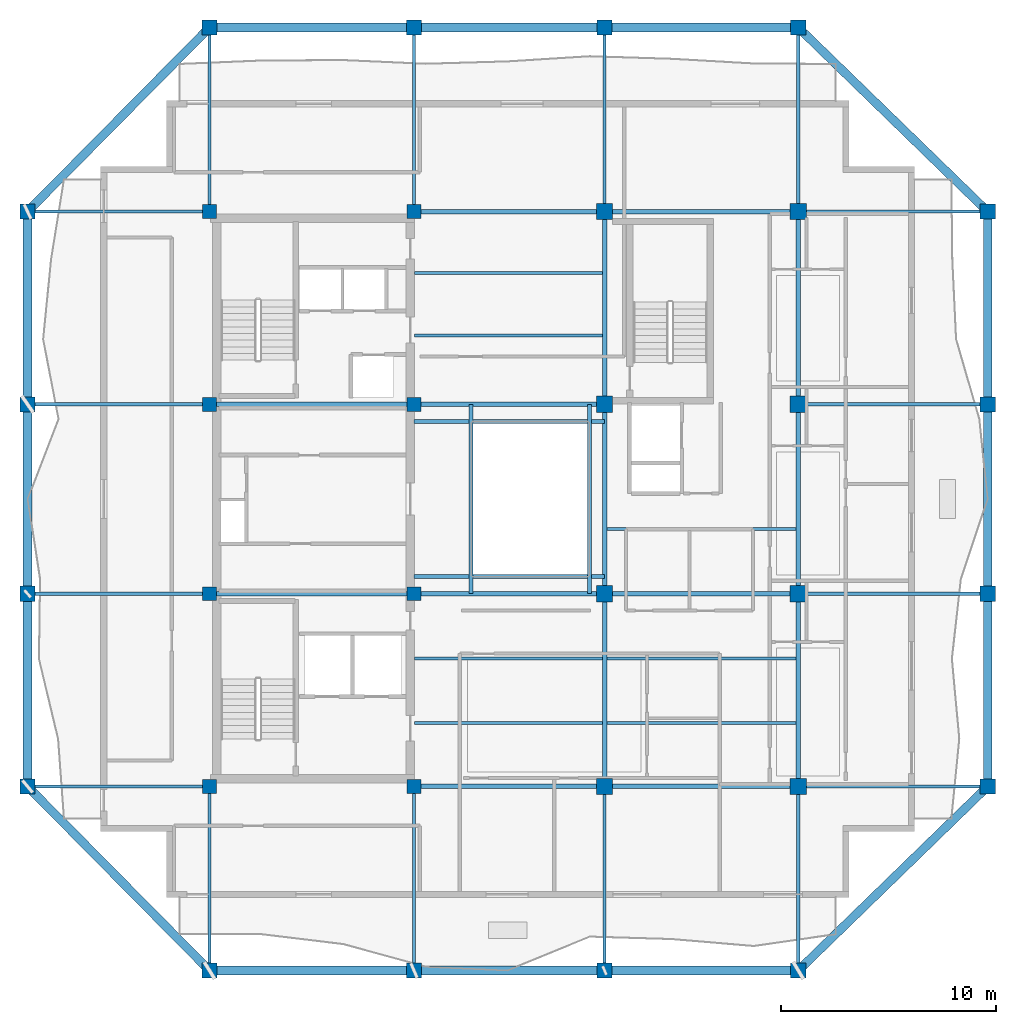
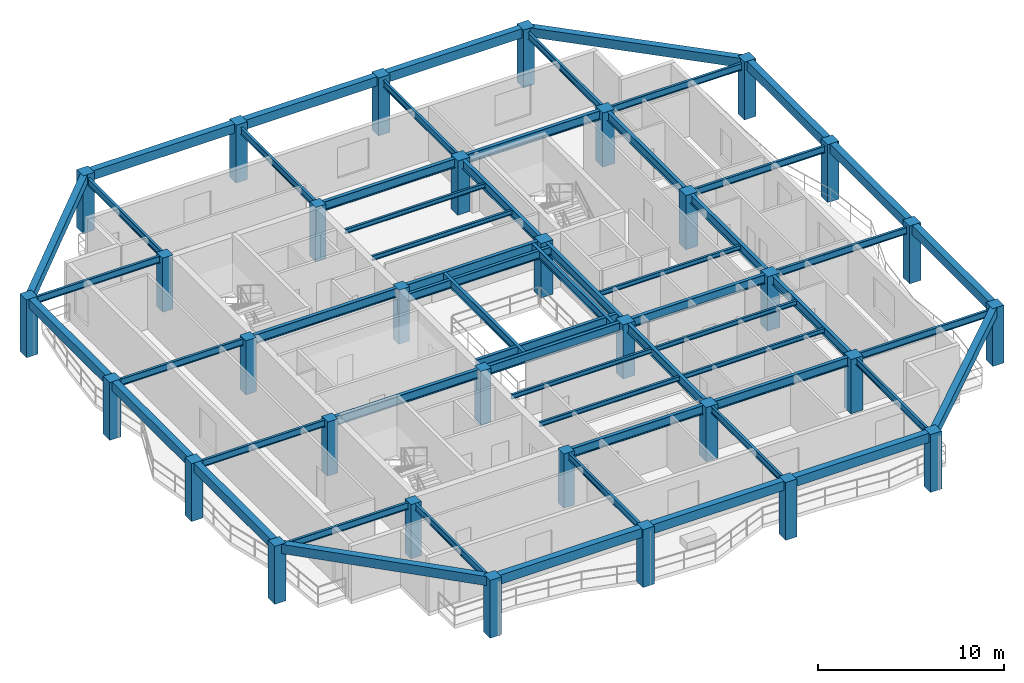
# One storey, part 1 of 10: 58 beams, 32 columns.
"""IFC4 building model written with IfcOpenShell, lengths in metres."""

from ifc_helpers import new_model, si_unit, direction, frame, origin, origin_2d, place, context, subcontext, project, spatial, rectangle, i_section, extrude, material, material_profile, profile_set, type_object, element, save


model = new_model("IFC4")

# Units and contexts
model_context = context("Model", 3, precision=1e-05, world=origin(), true_north=direction((0.0, 1.0)))
body_context = subcontext(model_context, "Body", "Model", "MODEL_VIEW")
ifc_project = project(units=[si_unit("LENGTHUNIT", "METRE"), si_unit("AREAUNIT", "SQUARE_METRE"), si_unit("VOLUMEUNIT", "CUBIC_METRE"), si_unit("PLANEANGLEUNIT", "RADIAN"), si_unit("MASSUNIT", "GRAM", prefix="KILO")], contexts=[model_context])

# Site, building, storey
site_placement = place(None, origin())
site = spatial("IfcSite", under=ifc_project, at=site_placement, CompositionType="ELEMENT")
building_placement = place(site_placement, origin())
building = spatial("IfcBuilding", under=site, at=building_placement, Name="Kundavana Baori Tower", CompositionType="ELEMENT")
storey_placement = place(building_placement, frame((0.0, 0.0, 316.300048828125)))
storey = spatial("IfcBuildingStorey", under=building, at=storey_placement, Name="L78", CompositionType="ELEMENT", Elevation=316.300048828125)

# Columns
ifc_material_1 = material(Name="Concrete C50/60", Category="concrete")
ifc_material_profile_1 = material_profile(ifc_material_1, rectangle(XDim=0.699951171875, YDim=0.699951171875, at=origin_2d()), Name="RC PF 700x700")
ifc_profile_set_1 = profile_set([ifc_material_profile_1], Name="Concrete C50/60")
column_type_1 = type_object("IfcColumnType", Name="COL-PF-700", PredefinedType="COLUMN", material=ifc_profile_set_1)
for number, where, z_axis, x_axis, name in (
    (1, (15.449951171875, 6.699951171875, 0.0), (0.0, 0.0, 1.0), (1.0, 0.0, 0.0), "L78 Stone-Clad Perimeter Frame Column PF-S1"),
    (2, (15.449951171875, 50.5, 0.0), (0.0, 0.0, 1.0), (1.0, 0.0, 0.0), "L78 Stone-Clad Perimeter Frame Column PF-N1"),
    (3, (24.949951171875, 6.699951171875, 0.0), (0.0, 0.0, 1.0), (1.0, 0.0, 0.0), "L78 Stone-Clad Perimeter Frame Column PF-S2"),
    (4, (24.949951171875, 50.5, 0.0), (0.0, 0.0, 1.0), (1.0, 0.0, 0.0), "L78 Stone-Clad Perimeter Frame Column PF-N2"),
    (5, (33.800048828125, 6.699951171875, 0.0), (0.0, 0.0, 1.0), (1.0, 0.0, 0.0), "L78 Stone-Clad Perimeter Frame Column PF-S3"),
    (6, (33.800048828125, 50.5, 0.0), (0.0, 0.0, 1.0), (1.0, 0.0, 0.0), "L78 Stone-Clad Perimeter Frame Column PF-N3"),
    (7, (42.800048828125, 6.699951171875, 0.0), (0.0, 0.0, 1.0), (1.0, 0.0, 0.0), "L78 Stone-Clad Perimeter Frame Column PF-S4"),
    (8, (42.800048828125, 50.5, 0.0), (0.0, 0.0, 1.0), (1.0, 0.0, 0.0), "L78 Stone-Clad Perimeter Frame Column PF-N4"),
    (9, (7.0, 15.25, 0.0), (0.0, 0.0, 1.0), (1.0, 0.0, 0.0), "L78 Stone-Clad Perimeter Frame Column PF-W1"),
    (10, (51.60009765625, 15.25, 0.0), (0.0, 0.0, 1.0), (1.0, 0.0, 0.0), "L78 Stone-Clad Perimeter Frame Column PF-E1"),
    (11, (7.0, 24.199951171875, 0.0), (0.0, 0.0, 1.0), (1.0, 0.0, 0.0), "L78 Stone-Clad Perimeter Frame Column PF-W2"),
    (12, (51.60009765625, 24.199951171875, 0.0), (0.0, 0.0, 1.0), (1.0, 0.0, 0.0), "L78 Stone-Clad Perimeter Frame Column PF-E2"),
    (13, (7.0, 33.0, 0.0), (0.0, 0.0, 1.0), (1.0, 0.0, 0.0), "L78 Stone-Clad Perimeter Frame Column PF-W3"),
    (14, (51.60009765625, 33.0, 0.0), (0.0, 0.0, 1.0), (1.0, 0.0, 0.0), "L78 Stone-Clad Perimeter Frame Column PF-E3"),
    (15, (7.0, 41.949951171875, 0.0), (0.0, 0.0, 1.0), (1.0, 0.0, 0.0), "L78 Stone-Clad Perimeter Frame Column PF-W4"),
    (16, (51.60009765625, 41.949951171875, 0.0), (0.0, 0.0, 1.0), (1.0, 0.0, 0.0), "L78 Stone-Clad Perimeter Frame Column PF-E4"),
):
    element("IfcColumn", number, at=place(storey_placement, frame(where, z_axis=z_axis, x_axis=x_axis)), inside=storey, type_object=column_type_1, Name=name, PredefinedType="COLUMN", context=body_context, shape_type="SweptSolid", body=[
        extrude(rectangle(XDim=0.699951171875, YDim=0.699951171875, at=origin_2d()), origin(), (0.0, 0.0, 1.0), 3.800048828125),
    ])
ifc_material_2 = material(Name="Concrete C50/60", Category="concrete")
ifc_material_profile_2 = material_profile(ifc_material_2, rectangle(XDim=0.64990234375, YDim=0.64990234375, at=origin_2d()), Name="RC 650x650")
ifc_profile_set_2 = profile_set([ifc_material_profile_2], Name="Concrete C50/60")
column_type_2 = type_object("IfcColumnType", Name="COL-RC-650", PredefinedType="COLUMN", material=ifc_profile_set_2)
for number, where, z_axis, x_axis, name in (
    (17, (15.449951171875, 15.25, 0.0), (0.0, 0.0, 1.0), (1.0, 0.0, 0.0), "L78 Interior Column IC-3C"),
    (18, (15.449951171875, 24.199951171875, 0.0), (0.0, 0.0, 1.0), (1.0, 0.0, 0.0), "L78 Interior Column IC-3D"),
    (19, (15.449951171875, 33.0, 0.0), (0.0, 0.0, 1.0), (1.0, 0.0, 0.0), "L78 Interior Column IC-3E"),
    (20, (15.449951171875, 41.949951171875, 0.0), (0.0, 0.0, 1.0), (1.0, 0.0, 0.0), "L78 Interior Column IC-3F"),
    (21, (24.949951171875, 15.25, 0.0), (0.0, 0.0, 1.0), (1.0, 0.0, 0.0), "L78 Interior Column IC-4C"),
    (22, (24.949951171875, 24.199951171875, 0.0), (0.0, 0.0, 1.0), (1.0, 0.0, 0.0), "L78 Interior Column IC-4D"),
    (23, (24.949951171875, 33.0, 0.0), (0.0, 0.0, 1.0), (1.0, 0.0, 0.0), "L78 Interior Column IC-4E"),
    (24, (24.949951171875, 41.949951171875, 0.0), (0.0, 0.0, 1.0), (1.0, 0.0, 0.0), "L78 Interior Column IC-4F"),
):
    element("IfcColumn", number, at=place(storey_placement, frame(where, z_axis=z_axis, x_axis=x_axis)), inside=storey, type_object=column_type_2, Name=name, PredefinedType="COLUMN", context=body_context, shape_type="SweptSolid", body=[
        extrude(rectangle(XDim=0.64990234375, YDim=0.64990234375, at=origin_2d()), origin(), (0.0, 0.0, 1.0), 3.56005859375),
    ])
ifc_material_3 = material(Name="Concrete C50/60", Category="concrete")
ifc_material_profile_3 = material_profile(ifc_material_3, rectangle(XDim=0.75, YDim=0.75, at=origin_2d()), Name="RC 750x750")
ifc_profile_set_3 = profile_set([ifc_material_profile_3], Name="Concrete C50/60")
column_type_3 = type_object("IfcColumnType", Name="COL-RC-750", PredefinedType="COLUMN", material=ifc_profile_set_3)
for number, where, z_axis, x_axis, name in (
    (25, (33.800048828125, 15.25, 0.0), (0.0, 0.0, 1.0), (1.0, 0.0, 0.0), "L78 Interior Column IC-5C"),
    (26, (33.800048828125, 24.199951171875, 0.0), (0.0, 0.0, 1.0), (1.0, 0.0, 0.0), "L78 Interior Column IC-5D"),
    (27, (33.800048828125, 33.0, 0.0), (0.0, 0.0, 1.0), (1.0, 0.0, 0.0), "L78 Interior Column IC-5E"),
    (28, (33.800048828125, 41.949951171875, 0.0), (0.0, 0.0, 1.0), (1.0, 0.0, 0.0), "L78 Interior Column IC-5F"),
    (29, (42.800048828125, 15.25, 0.0), (0.0, 0.0, 1.0), (1.0, 0.0, 0.0), "L78 Interior Column IC-6C"),
    (30, (42.800048828125, 24.199951171875, 0.0), (0.0, 0.0, 1.0), (1.0, 0.0, 0.0), "L78 Interior Column IC-6D"),
    (31, (42.800048828125, 33.0, 0.0), (0.0, 0.0, 1.0), (1.0, 0.0, 0.0), "L78 Interior Column IC-6E"),
    (32, (42.800048828125, 41.949951171875, 0.0), (0.0, 0.0, 1.0), (1.0, 0.0, 0.0), "L78 Interior Column IC-6F"),
):
    element("IfcColumn", number, at=place(storey_placement, frame(where, z_axis=z_axis, x_axis=x_axis)), inside=storey, type_object=column_type_3, Name=name, PredefinedType="COLUMN", context=body_context, shape_type="SweptSolid", body=[
        extrude(rectangle(XDim=0.75, YDim=0.75, at=origin_2d()), origin(), (0.0, 0.0, 1.0), 3.56005859375),
    ])

# Beams
ifc_material_4 = material(Name="Concrete C50/60", Category="concrete")
ifc_material_profile_4 = material_profile(ifc_material_4, rectangle(XDim=0.39990234375, YDim=0.60009765625, at=origin_2d()), Name="RC BM 400x600")
ifc_profile_set_4 = profile_set([ifc_material_profile_4], Name="Concrete C50/60")
beam_type_1 = type_object("IfcBeamType", Name="BM-PF-600", PredefinedType="SPANDREL", material=ifc_profile_set_4)
beam_1_placement = place(storey_placement, frame((15.449951171875, 6.699951171875, 3.5), z_axis=(1.0, 0.0, 0.0), x_axis=(0.0, 1.0, 0.0)))
element("IfcBeam", 33, at=beam_1_placement, inside=storey, type_object=beam_type_1, Name="L78 Perimeter Frame Ring Beam S1", PredefinedType="SPANDREL", context=body_context, shape_type="SweptSolid", body=[
    extrude(rectangle(XDim=0.39990234375, YDim=0.60009765625, at=origin_2d()), origin(), (0.0, 0.0, 1.0), 9.5),
])
beam_2_placement = place(storey_placement, frame((24.949951171875, 6.699951171875, 3.5), z_axis=(1.0, 0.0, 0.0), x_axis=(0.0, 1.0, 0.0)))
element("IfcBeam", 34, at=beam_2_placement, inside=storey, type_object=beam_type_1, Name="L78 Perimeter Frame Ring Beam S2", PredefinedType="SPANDREL", context=body_context, shape_type="SweptSolid", body=[
    extrude(rectangle(XDim=0.39990234375, YDim=0.60009765625, at=origin_2d()), origin(), (0.0, 0.0, 1.0), 8.85009765625),
])
beam_3_placement = place(storey_placement, frame((33.800048828125, 6.699951171875, 3.5), z_axis=(1.0, 0.0, 0.0), x_axis=(0.0, 1.0, 0.0)))
element("IfcBeam", 35, at=beam_3_placement, inside=storey, type_object=beam_type_1, Name="L78 Perimeter Frame Ring Beam S3", PredefinedType="SPANDREL", context=body_context, shape_type="SweptSolid", body=[
    extrude(rectangle(XDim=0.39990234375, YDim=0.60009765625, at=origin_2d()), origin(), (0.0, 0.0, 1.0), 9.0),
])
beam_4_placement = place(storey_placement, frame((15.449951171875, 50.5, 3.5), z_axis=(1.0, 0.0, 0.0), x_axis=(0.0, 1.0, 0.0)))
element("IfcBeam", 36, at=beam_4_placement, inside=storey, type_object=beam_type_1, Name="L78 Perimeter Frame Ring Beam N1", PredefinedType="SPANDREL", context=body_context, shape_type="SweptSolid", body=[
    extrude(rectangle(XDim=0.39990234375, YDim=0.60009765625, at=origin_2d()), origin(), (0.0, 0.0, 1.0), 9.5),
])
beam_5_placement = place(storey_placement, frame((24.949951171875, 50.5, 3.5), z_axis=(1.0, 0.0, 0.0), x_axis=(0.0, 1.0, 0.0)))
element("IfcBeam", 37, at=beam_5_placement, inside=storey, type_object=beam_type_1, Name="L78 Perimeter Frame Ring Beam N2", PredefinedType="SPANDREL", context=body_context, shape_type="SweptSolid", body=[
    extrude(rectangle(XDim=0.39990234375, YDim=0.60009765625, at=origin_2d()), origin(), (0.0, 0.0, 1.0), 8.85009765625),
])
beam_6_placement = place(storey_placement, frame((33.800048828125, 50.5, 3.5), z_axis=(1.0, 0.0, 0.0), x_axis=(0.0, 1.0, 0.0)))
element("IfcBeam", 38, at=beam_6_placement, inside=storey, type_object=beam_type_1, Name="L78 Perimeter Frame Ring Beam N3", PredefinedType="SPANDREL", context=body_context, shape_type="SweptSolid", body=[
    extrude(rectangle(XDim=0.39990234375, YDim=0.60009765625, at=origin_2d()), origin(), (0.0, 0.0, 1.0), 9.0),
])
beam_7_placement = place(storey_placement, frame((7.0, 15.25, 3.5), z_axis=(0.0, 1.0, 0.0), x_axis=(-1.0, 0.0, 0.0)))
element("IfcBeam", 39, at=beam_7_placement, inside=storey, type_object=beam_type_1, Name="L78 Perimeter Frame Ring Beam W1", PredefinedType="SPANDREL", context=body_context, shape_type="SweptSolid", body=[
    extrude(rectangle(XDim=0.39990234375, YDim=0.60009765625, at=origin_2d()), origin(), (0.0, 0.0, 1.0), 8.949951171875),
])
beam_8_placement = place(storey_placement, frame((7.0, 24.199951171875, 3.5), z_axis=(0.0, 1.0, 0.0), x_axis=(-1.0, 0.0, 0.0)))
element("IfcBeam", 40, at=beam_8_placement, inside=storey, type_object=beam_type_1, Name="L78 Perimeter Frame Ring Beam W2", PredefinedType="SPANDREL", context=body_context, shape_type="SweptSolid", body=[
    extrude(rectangle(XDim=0.39990234375, YDim=0.60009765625, at=origin_2d()), origin(), (0.0, 0.0, 1.0), 8.800048828125),
])
for number, where, z_axis, x_axis, name in (
    (41, (7.0, 33.0, 3.5), (0.0, 1.0, 0.0), (-1.0, 0.0, 0.0), "L78 Perimeter Frame Ring Beam W3"),
    (42, (51.60009765625, 15.25, 3.5), (0.0, 1.0, 0.0), (-1.0, 0.0, 0.0), "L78 Perimeter Frame Ring Beam E1"),
):
    element("IfcBeam", number, at=place(storey_placement, frame(where, z_axis=z_axis, x_axis=x_axis)), inside=storey, type_object=beam_type_1, Name=name, PredefinedType="SPANDREL", context=body_context, shape_type="SweptSolid", body=[
        extrude(rectangle(XDim=0.39990234375, YDim=0.60009765625, at=origin_2d()), origin(), (0.0, 0.0, 1.0), 8.949951171875),
    ])
beam_9_placement = place(storey_placement, frame((51.60009765625, 24.199951171875, 3.5), z_axis=(0.0, 1.0, 0.0), x_axis=(-1.0, 0.0, 0.0)))
element("IfcBeam", 43, at=beam_9_placement, inside=storey, type_object=beam_type_1, Name="L78 Perimeter Frame Ring Beam E2", PredefinedType="SPANDREL", context=body_context, shape_type="SweptSolid", body=[
    extrude(rectangle(XDim=0.39990234375, YDim=0.60009765625, at=origin_2d()), origin(), (0.0, 0.0, 1.0), 8.800048828125),
])
beam_10_placement = place(storey_placement, frame((51.60009765625, 33.0, 3.5), z_axis=(0.0, 1.0, 0.0), x_axis=(-1.0, 0.0, 0.0)))
element("IfcBeam", 44, at=beam_10_placement, inside=storey, type_object=beam_type_1, Name="L78 Perimeter Frame Ring Beam E3", PredefinedType="SPANDREL", context=body_context, shape_type="SweptSolid", body=[
    extrude(rectangle(XDim=0.39990234375, YDim=0.60009765625, at=origin_2d()), origin(), (0.0, 0.0, 1.0), 8.949951171875),
])
beam_11_placement = place(storey_placement, frame((15.449951171875, 6.699951171875, 3.5), z_axis=(-0.702931082472, 0.711257965365, 0.0), x_axis=(-0.711257965365, -0.702931082472, 0.0)))
element("IfcBeam", 45, at=beam_11_placement, inside=storey, type_object=beam_type_1, Name="L78 Notched Corner Perimeter Beam SW", PredefinedType="SPANDREL", context=body_context, shape_type="SweptSolid", body=[
    extrude(rectangle(XDim=0.39990234375, YDim=0.60009765625, at=origin_2d()), origin(), (0.0, 0.0, 1.0), 12.02099609375),
])
beam_12_placement = place(storey_placement, frame((42.800048828125, 6.699951171875, 3.5), z_axis=(0.717221130298, 0.696845643062, 0.0), x_axis=(-0.696845643062, 0.717221130298, 0.0)))
element("IfcBeam", 46, at=beam_12_placement, inside=storey, type_object=beam_type_1, Name="L78 Notched Corner Perimeter Beam SE", PredefinedType="SPANDREL", context=body_context, shape_type="SweptSolid", body=[
    extrude(rectangle(XDim=0.39990234375, YDim=0.60009765625, at=origin_2d()), origin(), (0.0, 0.0, 1.0), 12.26953125),
])
beam_13_placement = place(storey_placement, frame((15.449951171875, 50.5, 3.5), z_axis=(-0.702931082472, -0.711257965365, 0.0), x_axis=(0.711257965365, -0.702931082472, 0.0)))
element("IfcBeam", 47, at=beam_13_placement, inside=storey, type_object=beam_type_1, Name="L78 Notched Corner Perimeter Beam NW", PredefinedType="SPANDREL", context=body_context, shape_type="SweptSolid", body=[
    extrude(rectangle(XDim=0.39990234375, YDim=0.60009765625, at=origin_2d()), origin(), (0.0, 0.0, 1.0), 12.02099609375),
])
beam_14_placement = place(storey_placement, frame((42.800048828125, 50.5, 3.5), z_axis=(0.717221130298, -0.696845643062, 0.0), x_axis=(0.696845643062, 0.717221130298, 0.0)))
element("IfcBeam", 48, at=beam_14_placement, inside=storey, type_object=beam_type_1, Name="L78 Notched Corner Perimeter Beam NE", PredefinedType="SPANDREL", context=body_context, shape_type="SweptSolid", body=[
    extrude(rectangle(XDim=0.39990234375, YDim=0.60009765625, at=origin_2d()), origin(), (0.0, 0.0, 1.0), 12.26953125),
])
ifc_material_5 = material(Name="Structural Steel S355JR", Category="steel")
ifc_material_profile_5 = material_profile(ifc_material_5, i_section(OverallWidth=0.139892578125, OverallDepth=0.300048828125, WebThickness=0.0078125, FlangeThickness=0.01318359375, FilletRadius=0.013916015625, at=origin_2d()), Name="ISMB 300")
ifc_profile_set_5 = profile_set([ifc_material_profile_5], Name="Structural Steel S355JR")
beam_type_2 = type_object("IfcBeamType", Name="BM-RF-300", PredefinedType="BEAM", material=ifc_profile_set_5)
for number, where, z_axis, x_axis, name in (
    (49, (24.97998046875, 18.199951171875, 3.409912109375), (1.0, 0.0, 0.0), (0.0, 1.0, 0.0), "L78 Central Bay Composite Floor Joist C1"),
    (50, (24.97998046875, 21.199951171875, 3.409912109375), (1.0, 0.0, 0.0), (0.0, 1.0, 0.0), "L78 Central Bay Composite Floor Joist C2"),
    (51, (24.97998046875, 36.199951171875, 3.409912109375), (1.0, 0.0, 0.0), (0.0, 1.0, 0.0), "L78 Central Bay Composite Floor Joist C3"),
    (52, (24.97998046875, 39.10009765625, 3.409912109375), (1.0, 0.0, 0.0), (0.0, 1.0, 0.0), "L78 Central Bay Composite Floor Joist C4"),
):
    element("IfcBeam", number, at=place(storey_placement, frame(where, z_axis=z_axis, x_axis=x_axis)), inside=storey, type_object=beam_type_2, Name=name, PredefinedType="BEAM", context=body_context, shape_type="SweptSolid", body=[
        extrude(i_section(OverallWidth=0.139892578125, OverallDepth=0.300048828125, WebThickness=0.0078125, FlangeThickness=0.01318359375, FilletRadius=0.013916015625, at=origin_2d()), origin(), (0.0, 0.0, 1.0), 8.715087890625),
    ])
for number, where, z_axis, x_axis, name in (
    (53, (33.905029296875, 18.199951171875, 3.409912109375), (1.0, 0.0, 0.0), (0.0, 1.0, 0.0), "L78 East Bay Composite Floor Joist E1"),
    (54, (33.905029296875, 21.199951171875, 3.409912109375), (1.0, 0.0, 0.0), (0.0, 1.0, 0.0), "L78 East Bay Composite Floor Joist E2"),
    (55, (33.905029296875, 27.199951171875, 3.409912109375), (1.0, 0.0, 0.0), (0.0, 1.0, 0.0), "L78 East Bay Composite Floor Joist E3"),
):
    element("IfcBeam", number, at=place(storey_placement, frame(where, z_axis=z_axis, x_axis=x_axis)), inside=storey, type_object=beam_type_2, Name=name, PredefinedType="BEAM", context=body_context, shape_type="SweptSolid", body=[
        extrude(i_section(OverallWidth=0.139892578125, OverallDepth=0.300048828125, WebThickness=0.0078125, FlangeThickness=0.01318359375, FilletRadius=0.013916015625, at=origin_2d()), origin(), (0.0, 0.0, 1.0), 8.7900390625),
    ])
ifc_material_6 = material(Name="Structural Steel S355JR", Category="steel")
ifc_material_profile_6 = material_profile(ifc_material_6, i_section(OverallWidth=0.18994140625, OverallDepth=0.550048828125, WebThickness=0.01123046875, FlangeThickness=0.019287109375, FilletRadius=0.01806640625, at=origin_2d()), Name="ISMB 550")
ifc_profile_set_6 = profile_set([ifc_material_profile_6], Name="Structural Steel S355JR")
beam_type_3 = type_object("IfcBeamType", Name="BM-ST-550", PredefinedType="BEAM", material=ifc_profile_set_6)
for number, where, z_axis, x_axis, name in (
    (56, (27.60009765625, 24.199951171875, 3.284912109375), (0.0, 1.0, 0.0), (-1.0, 0.0, 0.0), "L78 Atrium West Edge Beam"),
    (57, (33.10009765625, 24.199951171875, 3.284912109375), (0.0, 1.0, 0.0), (-1.0, 0.0, 0.0), "L78 Atrium East Edge Beam"),
):
    element("IfcBeam", number, at=place(storey_placement, frame(where, z_axis=z_axis, x_axis=x_axis)), inside=storey, type_object=beam_type_3, Name=name, PredefinedType="BEAM", context=body_context, shape_type="SweptSolid", body=[
        extrude(i_section(OverallWidth=0.18994140625, OverallDepth=0.550048828125, WebThickness=0.01123046875, FlangeThickness=0.019287109375, FilletRadius=0.01806640625, at=origin_2d()), origin(), (0.0, 0.0, 1.0), 8.800048828125),
    ])
for number, where, z_axis, x_axis, name in (
    (58, (24.949951171875, 25.0, 3.284912109375), (1.0, 0.0, 0.0), (0.0, 1.0, 0.0), "L78 Atrium South Edge Beam"),
    (59, (24.949951171875, 32.199951171875, 3.284912109375), (1.0, 0.0, 0.0), (0.0, 1.0, 0.0), "L78 Atrium North Edge Beam"),
):
    element("IfcBeam", number, at=place(storey_placement, frame(where, z_axis=z_axis, x_axis=x_axis)), inside=storey, type_object=beam_type_3, Name=name, PredefinedType="BEAM", context=body_context, shape_type="SweptSolid", body=[
        extrude(i_section(OverallWidth=0.18994140625, OverallDepth=0.550048828125, WebThickness=0.01123046875, FlangeThickness=0.019287109375, FilletRadius=0.01806640625, at=origin_2d()), origin(), (0.0, 0.0, 1.0), 8.85009765625),
    ])
ifc_material_7 = material(Name="Structural Steel S355JR", Category="steel")
ifc_material_profile_7 = material_profile(ifc_material_7, i_section(OverallWidth=0.2099609375, OverallDepth=0.60009765625, WebThickness=0.011962890625, FlangeThickness=0.020751953125, FilletRadius=0.02001953125, at=origin_2d()), Name="ISMB 600")
ifc_profile_set_7 = profile_set([ifc_material_profile_7], Name="Structural Steel S355JR")
beam_type_4 = type_object("IfcBeamType", Name="BM-ST-600", PredefinedType="BEAM", material=ifc_profile_set_7)
beam_15_placement = place(storey_placement, frame((24.949951171875, 15.25, 3.260009765625), z_axis=(1.0, 0.0, 0.0), x_axis=(0.0, 1.0, 0.0)))
element("IfcBeam", 60, at=beam_15_placement, inside=storey, type_object=beam_type_4, Name="L78 Primary Grid Girder GX-1-2", PredefinedType="BEAM", context=body_context, shape_type="SweptSolid", body=[
    extrude(i_section(OverallWidth=0.2099609375, OverallDepth=0.60009765625, WebThickness=0.011962890625, FlangeThickness=0.020751953125, FilletRadius=0.02001953125, at=origin_2d()), origin(), (0.0, 0.0, 1.0), 8.85009765625),
])
beam_16_placement = place(storey_placement, frame((33.800048828125, 15.25, 3.260009765625), z_axis=(1.0, 0.0, 0.0), x_axis=(0.0, 1.0, 0.0)))
element("IfcBeam", 61, at=beam_16_placement, inside=storey, type_object=beam_type_4, Name="L78 Primary Grid Girder GX-1-3", PredefinedType="BEAM", context=body_context, shape_type="SweptSolid", body=[
    extrude(i_section(OverallWidth=0.2099609375, OverallDepth=0.60009765625, WebThickness=0.011962890625, FlangeThickness=0.020751953125, FilletRadius=0.02001953125, at=origin_2d()), origin(), (0.0, 0.0, 1.0), 9.0),
])
beam_17_placement = place(storey_placement, frame((15.449951171875, 24.199951171875, 3.260009765625), z_axis=(1.0, 0.0, 0.0), x_axis=(0.0, 1.0, 0.0)))
element("IfcBeam", 62, at=beam_17_placement, inside=storey, type_object=beam_type_4, Name="L78 Primary Grid Girder GX-2-1", PredefinedType="BEAM", context=body_context, shape_type="SweptSolid", body=[
    extrude(i_section(OverallWidth=0.2099609375, OverallDepth=0.60009765625, WebThickness=0.011962890625, FlangeThickness=0.020751953125, FilletRadius=0.02001953125, at=origin_2d()), origin(), (0.0, 0.0, 1.0), 9.5),
])
beam_18_placement = place(storey_placement, frame((24.949951171875, 24.199951171875, 3.260009765625), z_axis=(1.0, 0.0, 0.0), x_axis=(0.0, 1.0, 0.0)))
element("IfcBeam", 63, at=beam_18_placement, inside=storey, type_object=beam_type_4, Name="L78 Primary Grid Girder GX-2-2", PredefinedType="BEAM", context=body_context, shape_type="SweptSolid", body=[
    extrude(i_section(OverallWidth=0.2099609375, OverallDepth=0.60009765625, WebThickness=0.011962890625, FlangeThickness=0.020751953125, FilletRadius=0.02001953125, at=origin_2d()), origin(), (0.0, 0.0, 1.0), 8.85009765625),
])
beam_19_placement = place(storey_placement, frame((33.800048828125, 24.199951171875, 3.260009765625), z_axis=(1.0, 0.0, 0.0), x_axis=(0.0, 1.0, 0.0)))
element("IfcBeam", 64, at=beam_19_placement, inside=storey, type_object=beam_type_4, Name="L78 Primary Grid Girder GX-2-3", PredefinedType="BEAM", context=body_context, shape_type="SweptSolid", body=[
    extrude(i_section(OverallWidth=0.2099609375, OverallDepth=0.60009765625, WebThickness=0.011962890625, FlangeThickness=0.020751953125, FilletRadius=0.02001953125, at=origin_2d()), origin(), (0.0, 0.0, 1.0), 9.0),
])
beam_20_placement = place(storey_placement, frame((15.449951171875, 33.0, 3.260009765625), z_axis=(1.0, 0.0, 0.0), x_axis=(0.0, 1.0, 0.0)))
element("IfcBeam", 65, at=beam_20_placement, inside=storey, type_object=beam_type_4, Name="L78 Primary Grid Girder GX-3-1", PredefinedType="BEAM", context=body_context, shape_type="SweptSolid", body=[
    extrude(i_section(OverallWidth=0.2099609375, OverallDepth=0.60009765625, WebThickness=0.011962890625, FlangeThickness=0.020751953125, FilletRadius=0.02001953125, at=origin_2d()), origin(), (0.0, 0.0, 1.0), 9.5),
])
for number, where, z_axis, x_axis, name in (
    (66, (24.949951171875, 33.0, 3.260009765625), (1.0, 0.0, 0.0), (0.0, 1.0, 0.0), "L78 Primary Grid Girder GX-3-2"),
    (67, (24.949951171875, 41.949951171875, 3.260009765625), (1.0, 0.0, 0.0), (0.0, 1.0, 0.0), "L78 Primary Grid Girder GX-4-2"),
):
    element("IfcBeam", number, at=place(storey_placement, frame(where, z_axis=z_axis, x_axis=x_axis)), inside=storey, type_object=beam_type_4, Name=name, PredefinedType="BEAM", context=body_context, shape_type="SweptSolid", body=[
        extrude(i_section(OverallWidth=0.2099609375, OverallDepth=0.60009765625, WebThickness=0.011962890625, FlangeThickness=0.020751953125, FilletRadius=0.02001953125, at=origin_2d()), origin(), (0.0, 0.0, 1.0), 8.85009765625),
    ])
beam_21_placement = place(storey_placement, frame((33.800048828125, 41.949951171875, 3.260009765625), z_axis=(1.0, 0.0, 0.0), x_axis=(0.0, 1.0, 0.0)))
element("IfcBeam", 68, at=beam_21_placement, inside=storey, type_object=beam_type_4, Name="L78 Primary Grid Girder GX-4-3", PredefinedType="BEAM", context=body_context, shape_type="SweptSolid", body=[
    extrude(i_section(OverallWidth=0.2099609375, OverallDepth=0.60009765625, WebThickness=0.011962890625, FlangeThickness=0.020751953125, FilletRadius=0.02001953125, at=origin_2d()), origin(), (0.0, 0.0, 1.0), 9.0),
])
beam_22_placement = place(storey_placement, frame((33.800048828125, 15.25, 3.260009765625), z_axis=(0.0, 1.0, 0.0), x_axis=(-1.0, 0.0, 0.0)))
element("IfcBeam", 69, at=beam_22_placement, inside=storey, type_object=beam_type_4, Name="L78 Primary Grid Girder GY-3-1", PredefinedType="BEAM", context=body_context, shape_type="SweptSolid", body=[
    extrude(i_section(OverallWidth=0.2099609375, OverallDepth=0.60009765625, WebThickness=0.011962890625, FlangeThickness=0.020751953125, FilletRadius=0.02001953125, at=origin_2d()), origin(), (0.0, 0.0, 1.0), 8.949951171875),
])
beam_23_placement = place(storey_placement, frame((33.800048828125, 24.199951171875, 3.260009765625), z_axis=(0.0, 1.0, 0.0), x_axis=(-1.0, 0.0, 0.0)))
element("IfcBeam", 70, at=beam_23_placement, inside=storey, type_object=beam_type_4, Name="L78 Primary Grid Girder GY-3-2", PredefinedType="BEAM", context=body_context, shape_type="SweptSolid", body=[
    extrude(i_section(OverallWidth=0.2099609375, OverallDepth=0.60009765625, WebThickness=0.011962890625, FlangeThickness=0.020751953125, FilletRadius=0.02001953125, at=origin_2d()), origin(), (0.0, 0.0, 1.0), 8.800048828125),
])
for number, where, z_axis, x_axis, name in (
    (71, (33.800048828125, 33.0, 3.260009765625), (0.0, 1.0, 0.0), (-1.0, 0.0, 0.0), "L78 Primary Grid Girder GY-3-3"),
    (72, (42.800048828125, 15.25, 3.260009765625), (0.0, 1.0, 0.0), (-1.0, 0.0, 0.0), "L78 Primary Grid Girder GY-4-1"),
):
    element("IfcBeam", number, at=place(storey_placement, frame(where, z_axis=z_axis, x_axis=x_axis)), inside=storey, type_object=beam_type_4, Name=name, PredefinedType="BEAM", context=body_context, shape_type="SweptSolid", body=[
        extrude(i_section(OverallWidth=0.2099609375, OverallDepth=0.60009765625, WebThickness=0.011962890625, FlangeThickness=0.020751953125, FilletRadius=0.02001953125, at=origin_2d()), origin(), (0.0, 0.0, 1.0), 8.949951171875),
    ])
beam_24_placement = place(storey_placement, frame((42.800048828125, 24.199951171875, 3.260009765625), z_axis=(0.0, 1.0, 0.0), x_axis=(-1.0, 0.0, 0.0)))
element("IfcBeam", 73, at=beam_24_placement, inside=storey, type_object=beam_type_4, Name="L78 Primary Grid Girder GY-4-2", PredefinedType="BEAM", context=body_context, shape_type="SweptSolid", body=[
    extrude(i_section(OverallWidth=0.2099609375, OverallDepth=0.60009765625, WebThickness=0.011962890625, FlangeThickness=0.020751953125, FilletRadius=0.02001953125, at=origin_2d()), origin(), (0.0, 0.0, 1.0), 8.800048828125),
])
beam_25_placement = place(storey_placement, frame((42.800048828125, 33.0, 3.260009765625), z_axis=(0.0, 1.0, 0.0), x_axis=(-1.0, 0.0, 0.0)))
element("IfcBeam", 74, at=beam_25_placement, inside=storey, type_object=beam_type_4, Name="L78 Primary Grid Girder GY-4-3", PredefinedType="BEAM", context=body_context, shape_type="SweptSolid", body=[
    extrude(i_section(OverallWidth=0.2099609375, OverallDepth=0.60009765625, WebThickness=0.011962890625, FlangeThickness=0.020751953125, FilletRadius=0.02001953125, at=origin_2d()), origin(), (0.0, 0.0, 1.0), 8.949951171875),
])
ifc_material_8 = material(Name="Structural Steel S355JR", Category="steel")
ifc_material_profile_8 = material_profile(ifc_material_8, i_section(OverallWidth=0.14990234375, OverallDepth=0.449951171875, WebThickness=0.009521484375, FlangeThickness=0.017333984375, FilletRadius=0.014892578125, at=origin_2d()), Name="ISMB 450")
ifc_profile_set_8 = profile_set([ifc_material_profile_8], Name="Structural Steel S355JR")
beam_type_5 = type_object("IfcBeamType", Name="BM-TIE-450", PredefinedType="BEAM", material=ifc_profile_set_8)
for number, where, z_axis, x_axis, name in (
    (75, (15.449951171875, 15.25, 3.3349609375), (0.0, -1.0, 0.0), (1.0, 0.0, 0.0), "L78 South Radial Loggia Tie Beam S1"),
    (76, (15.449951171875, 41.949951171875, 3.3349609375), (0.0, 1.0, 0.0), (-1.0, 0.0, 0.0), "L78 North Radial Loggia Tie Beam N1"),
    (77, (24.949951171875, 15.25, 3.3349609375), (0.0, -1.0, 0.0), (1.0, 0.0, 0.0), "L78 South Radial Loggia Tie Beam S2"),
    (78, (24.949951171875, 41.949951171875, 3.3349609375), (0.0, 1.0, 0.0), (-1.0, 0.0, 0.0), "L78 North Radial Loggia Tie Beam N2"),
    (79, (33.800048828125, 15.25, 3.3349609375), (0.0, -1.0, 0.0), (1.0, 0.0, 0.0), "L78 South Radial Loggia Tie Beam S3"),
    (80, (33.800048828125, 41.949951171875, 3.3349609375), (0.0, 1.0, 0.0), (-1.0, 0.0, 0.0), "L78 North Radial Loggia Tie Beam N3"),
    (81, (42.800048828125, 15.25, 3.3349609375), (0.0, -1.0, 0.0), (1.0, 0.0, 0.0), "L78 South Radial Loggia Tie Beam S4"),
    (82, (42.800048828125, 41.949951171875, 3.3349609375), (0.0, 1.0, 0.0), (-1.0, 0.0, 0.0), "L78 North Radial Loggia Tie Beam N4"),
):
    element("IfcBeam", number, at=place(storey_placement, frame(where, z_axis=z_axis, x_axis=x_axis)), inside=storey, type_object=beam_type_5, Name=name, PredefinedType="BEAM", context=body_context, shape_type="SweptSolid", body=[
        extrude(i_section(OverallWidth=0.14990234375, OverallDepth=0.449951171875, WebThickness=0.009521484375, FlangeThickness=0.017333984375, FilletRadius=0.014892578125, at=origin_2d()), origin(), (0.0, 0.0, 1.0), 8.550048828125),
    ])
beam_26_placement = place(storey_placement, frame((15.449951171875, 15.25, 3.3349609375), z_axis=(-1.0, 0.0, 0.0), x_axis=(0.0, -1.0, 0.0)))
element("IfcBeam", 83, at=beam_26_placement, inside=storey, type_object=beam_type_5, Name="L78 West Radial Loggia Tie Beam W1", PredefinedType="BEAM", context=body_context, shape_type="SweptSolid", body=[
    extrude(i_section(OverallWidth=0.14990234375, OverallDepth=0.449951171875, WebThickness=0.009521484375, FlangeThickness=0.017333984375, FilletRadius=0.014892578125, at=origin_2d()), origin(), (0.0, 0.0, 1.0), 8.449951171875),
])
beam_27_placement = place(storey_placement, frame((42.800048828125, 15.25, 3.3349609375), z_axis=(1.0, 0.0, 0.0), x_axis=(0.0, 1.0, 0.0)))
element("IfcBeam", 84, at=beam_27_placement, inside=storey, type_object=beam_type_5, Name="L78 East Radial Loggia Tie Beam E1", PredefinedType="BEAM", context=body_context, shape_type="SweptSolid", body=[
    extrude(i_section(OverallWidth=0.14990234375, OverallDepth=0.449951171875, WebThickness=0.009521484375, FlangeThickness=0.017333984375, FilletRadius=0.014892578125, at=origin_2d()), origin(), (0.0, 0.0, 1.0), 8.800048828125),
])
beam_28_placement = place(storey_placement, frame((15.449951171875, 24.199951171875, 3.3349609375), z_axis=(-1.0, 0.0, 0.0), x_axis=(0.0, -1.0, 0.0)))
element("IfcBeam", 85, at=beam_28_placement, inside=storey, type_object=beam_type_5, Name="L78 West Radial Loggia Tie Beam W2", PredefinedType="BEAM", context=body_context, shape_type="SweptSolid", body=[
    extrude(i_section(OverallWidth=0.14990234375, OverallDepth=0.449951171875, WebThickness=0.009521484375, FlangeThickness=0.017333984375, FilletRadius=0.014892578125, at=origin_2d()), origin(), (0.0, 0.0, 1.0), 8.449951171875),
])
beam_29_placement = place(storey_placement, frame((42.800048828125, 24.199951171875, 3.3349609375), z_axis=(1.0, 0.0, 0.0), x_axis=(0.0, 1.0, 0.0)))
element("IfcBeam", 86, at=beam_29_placement, inside=storey, type_object=beam_type_5, Name="L78 East Radial Loggia Tie Beam E2", PredefinedType="BEAM", context=body_context, shape_type="SweptSolid", body=[
    extrude(i_section(OverallWidth=0.14990234375, OverallDepth=0.449951171875, WebThickness=0.009521484375, FlangeThickness=0.017333984375, FilletRadius=0.014892578125, at=origin_2d()), origin(), (0.0, 0.0, 1.0), 8.800048828125),
])
beam_30_placement = place(storey_placement, frame((15.449951171875, 33.0, 3.3349609375), z_axis=(-1.0, 0.0, 0.0), x_axis=(0.0, -1.0, 0.0)))
element("IfcBeam", 87, at=beam_30_placement, inside=storey, type_object=beam_type_5, Name="L78 West Radial Loggia Tie Beam W3", PredefinedType="BEAM", context=body_context, shape_type="SweptSolid", body=[
    extrude(i_section(OverallWidth=0.14990234375, OverallDepth=0.449951171875, WebThickness=0.009521484375, FlangeThickness=0.017333984375, FilletRadius=0.014892578125, at=origin_2d()), origin(), (0.0, 0.0, 1.0), 8.449951171875),
])
beam_31_placement = place(storey_placement, frame((42.800048828125, 33.0, 3.3349609375), z_axis=(1.0, 0.0, 0.0), x_axis=(0.0, 1.0, 0.0)))
element("IfcBeam", 88, at=beam_31_placement, inside=storey, type_object=beam_type_5, Name="L78 East Radial Loggia Tie Beam E3", PredefinedType="BEAM", context=body_context, shape_type="SweptSolid", body=[
    extrude(i_section(OverallWidth=0.14990234375, OverallDepth=0.449951171875, WebThickness=0.009521484375, FlangeThickness=0.017333984375, FilletRadius=0.014892578125, at=origin_2d()), origin(), (0.0, 0.0, 1.0), 8.800048828125),
])
beam_32_placement = place(storey_placement, frame((15.449951171875, 41.949951171875, 3.3349609375), z_axis=(-1.0, 0.0, 0.0), x_axis=(0.0, -1.0, 0.0)))
element("IfcBeam", 89, at=beam_32_placement, inside=storey, type_object=beam_type_5, Name="L78 West Radial Loggia Tie Beam W4", PredefinedType="BEAM", context=body_context, shape_type="SweptSolid", body=[
    extrude(i_section(OverallWidth=0.14990234375, OverallDepth=0.449951171875, WebThickness=0.009521484375, FlangeThickness=0.017333984375, FilletRadius=0.014892578125, at=origin_2d()), origin(), (0.0, 0.0, 1.0), 8.449951171875),
])
beam_33_placement = place(storey_placement, frame((42.800048828125, 41.949951171875, 3.3349609375), z_axis=(1.0, 0.0, 0.0), x_axis=(0.0, 1.0, 0.0)))
element("IfcBeam", 90, at=beam_33_placement, inside=storey, type_object=beam_type_5, Name="L78 East Radial Loggia Tie Beam E4", PredefinedType="BEAM", context=body_context, shape_type="SweptSolid", body=[
    extrude(i_section(OverallWidth=0.14990234375, OverallDepth=0.449951171875, WebThickness=0.009521484375, FlangeThickness=0.017333984375, FilletRadius=0.014892578125, at=origin_2d()), origin(), (0.0, 0.0, 1.0), 8.800048828125),
])

save(model, "model.ifc")
